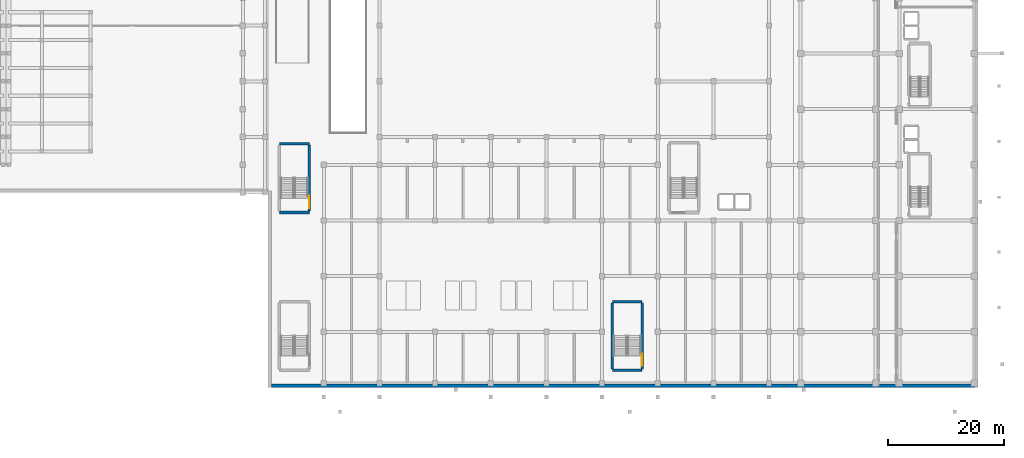
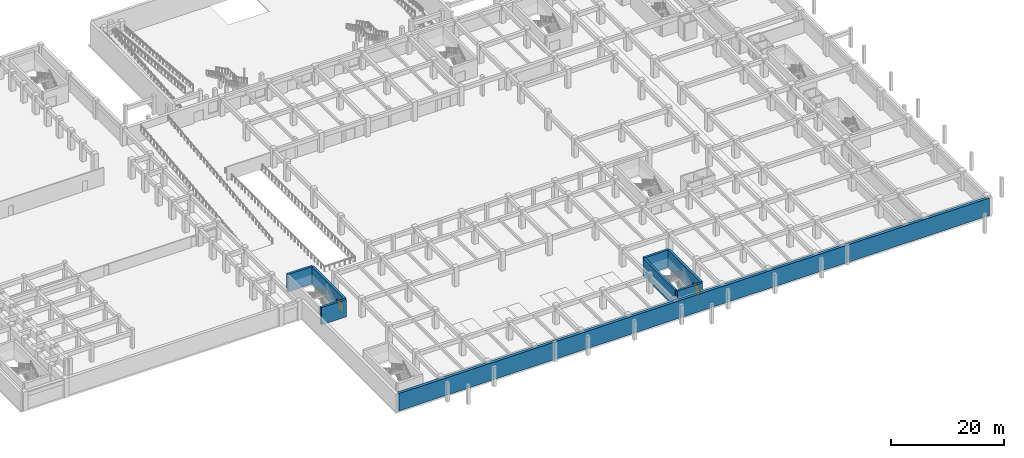
# One storey, part 11 of 39: 8 walls, 2 doors, 2 openings.
"""IFC4 building model written with IfcOpenShell, lengths in metres."""

from ifc_helpers import new_model, si_unit, direction, frame, frame_2d, origin, place, context, subcontext, project, spatial, rectangle, extrude, material, layer, layer_set, type_object, element, fill, save


model = new_model("IFC4")

# Units and contexts
model_context = context("Model", 3, precision=1e-05, world=origin(), true_north=direction((0.0, 1.0)))
body_context = subcontext(model_context, "Body", "Model", "MODEL_VIEW")
ifc_project = project(units=[si_unit("LENGTHUNIT", "METRE"), si_unit("AREAUNIT", "SQUARE_METRE"), si_unit("VOLUMEUNIT", "CUBIC_METRE"), si_unit("PLANEANGLEUNIT", "RADIAN"), si_unit("MASSUNIT", "GRAM", prefix="KILO")], contexts=[model_context])

# Site, building, storey
site_placement = place(None, origin())
site = spatial("IfcSite", under=ifc_project, at=site_placement, CompositionType="ELEMENT")
building_placement = place(site_placement, origin())
building = spatial("IfcBuilding", under=site, at=building_placement, Name="Nakhvara Creek Congress Hotel", CompositionType="ELEMENT")
storey_placement = place(building_placement, frame((0.0, 0.0, -4.199951171875)))
storey = spatial("IfcBuildingStorey", under=building, at=storey_placement, Name="B1", CompositionType="ELEMENT", Elevation=-4.199951171875)

# Walls
ifc_material_1 = material(Name="Concrete C50/60", Category="concrete")
ifc_layer_1 = layer(ifc_material_1, 0.449951171875)
ifc_layer_set_1 = layer_set([ifc_layer_1], Name="Concrete C50/60")
wall_type_1 = type_object("IfcWallType", Name="W-CORE-450", PredefinedType="SHEAR", material=ifc_layer_set_1)
for number, where, z_axis, x_axis, name in (
    (1, (116.949951171875, 2.97998046875, 0.0), (0.0, 0.0, 1.0), (1.0, 0.0, 0.0), "Core Shear Wall WS02-CWALL-B1-0959"),
    (2, (116.949951171875, 14.820068359375, 0.0), (0.0, 0.0, 1.0), (1.0, 0.0, 0.0), "Core Shear Wall WS02-CWALL-B1-0960"),
):
    element("IfcWall", number, at=place(storey_placement, frame(where, z_axis=z_axis, x_axis=x_axis)), inside=storey, type_object=wall_type_1, Name=name, PredefinedType="SHEAR", context=body_context, shape_type="SweptSolid", body=[
        extrude(rectangle(XDim=5.150146484375, YDim=0.449951171875, at=frame_2d((2.5751953125, 0.0))), origin(), (0.0, 0.0, 1.0), 3.780029296875),
    ])
wall_1_placement = place(storey_placement, frame((116.949951171875, 3.199951171875, 0.0), z_axis=(0.0, 0.0, 1.0), x_axis=(0.0, 1.0, 0.0)))
element("IfcWall", 3, at=wall_1_placement, inside=storey, type_object=wall_type_1, Name="Core Shear Wall WS02-CWALL-B1-0961", PredefinedType="SHEAR", context=body_context, shape_type="SweptSolid", body=[
    extrude(rectangle(XDim=11.400146484375, YDim=0.449951171875, at=frame_2d((5.7001953125, 0.0))), origin(), (0.0, 0.0, 1.0), 3.780029296875),
])

# Wall, opening, door
wall_2_placement = place(storey_placement, frame((122.10009765625, 3.199951171875, 0.0), z_axis=(0.0, 0.0, 1.0), x_axis=(0.0, 1.0, 0.0)))
wall_2 = element("IfcWall", 4, at=wall_2_placement, inside=storey, type_object=wall_type_1, Name="Core Shear Wall WS02-CWALL-B1-0962", PredefinedType="SHEAR", context=body_context, shape_type="SweptSolid", body=[
    extrude(rectangle(XDim=11.400146484375, YDim=0.449951171875, at=frame_2d((5.7001953125, 0.0))), origin(), (0.0, 0.0, 1.0), 3.780029296875),
])
opening_1_placement = place(wall_2_placement, frame((0.550048828125, 0.0, 0.0)))
opening_1 = element("IfcOpeningElement", 5, at=opening_1_placement, cuts=wall_2, Name="Opening FD19", PredefinedType="OPENING", context=body_context, shape_type="SweptSolid", body=[
    extrude(rectangle(XDim=2.10009765625, YDim=2.199951171875, at=frame_2d((1.050048828125, 1.10009765625))), frame((0.0, 0.23681640625, 0.0), z_axis=(0.0, -1.0, 0.0), x_axis=(1.0, 0.0, 0.0)), (0.0, 0.0, 1.0), 0.473876953125),
])
ifc_material_2 = material(Name="Galvanised steel acoustic fire door", Category="steel")
door_type = type_object("IfcDoorType", Name="DT-STAIR-220", OperationType="DOUBLE_DOOR_SINGLE_SWING", PredefinedType="DOOR", material=ifc_material_2)
door_1_placement = place(opening_1_placement, frame((2.10009765625, 0.0, 0.0), z_axis=(0.0, 0.0, 1.0), x_axis=(-1.0, 0.0, 0.0)))
door_1 = element("IfcDoor", 6, at=door_1_placement, inside=storey, type_object=door_type, Name="Stair Exit Door ST12-B1", OperationType="DOUBLE_DOOR_SINGLE_SWING", OverallHeight=2.199951171875, OverallWidth=2.10009765625, PredefinedType="DOOR", context=body_context, shape_type="SweptSolid", body=[
    extrude(rectangle(XDim=2.10009765625, YDim=2.199951171875, at=frame_2d((1.050048828125, 1.10009765625))), frame((0.0, 0.02490234375, 0.0), z_axis=(0.0, -1.0, 0.0), x_axis=(1.0, 0.0, 0.0)), (0.0, 0.0, 1.0), 0.050048828125),
])
fill(opening_1, door_1)

# Walls
for number, where, z_axis, x_axis, name in (
    (7, (59.550048828125, 30.179931640625, 0.0), (0.0, 0.0, 1.0), (1.0, 0.0, 0.0), "Core Shear Wall WS02-CWALL-B1-0983"),
    (8, (59.550048828125, 42.02001953125, 0.0), (0.0, 0.0, 1.0), (1.0, 0.0, 0.0), "Core Shear Wall WS02-CWALL-B1-0984"),
):
    element("IfcWall", number, at=place(storey_placement, frame(where, z_axis=z_axis, x_axis=x_axis)), inside=storey, type_object=wall_type_1, Name=name, PredefinedType="SHEAR", context=body_context, shape_type="SweptSolid", body=[
        extrude(rectangle(XDim=5.14990234375, YDim=0.449951171875, at=frame_2d((2.574951171875, 0.0))), origin(), (0.0, 0.0, 1.0), 3.780029296875),
    ])

# Wall, opening, door
wall_3_placement = place(storey_placement, frame((64.699951171875, 30.39990234375, 0.0), z_axis=(0.0, 0.0, 1.0), x_axis=(0.0, 1.0, 0.0)))
wall_3 = element("IfcWall", 9, at=wall_3_placement, inside=storey, type_object=wall_type_1, Name="Core Shear Wall WS02-CWALL-B1-0986", PredefinedType="SHEAR", context=body_context, shape_type="SweptSolid", body=[
    extrude(rectangle(XDim=11.400146484375, YDim=0.449951171875, at=frame_2d((5.7001953125, 0.0))), origin(), (0.0, 0.0, 1.0), 3.780029296875),
])
opening_2_placement = place(wall_3_placement, frame((0.550048828125, 0.0, 0.0)))
opening_2 = element("IfcOpeningElement", 10, at=opening_2_placement, cuts=wall_3, Name="Opening FD19", PredefinedType="OPENING", context=body_context, shape_type="SweptSolid", body=[
    extrude(rectangle(XDim=2.10009765625, YDim=2.199951171875, at=frame_2d((1.050048828125, 1.10009765625))), frame((0.0, 0.23681640625, 0.0), z_axis=(0.0, -1.0, 0.0), x_axis=(1.0, 0.0, 0.0)), (0.0, 0.0, 1.0), 0.473876953125),
])
door_2_placement = place(opening_2_placement, frame((2.10009765625, 0.0, 0.0), z_axis=(0.0, 0.0, 1.0), x_axis=(-1.0, 0.0, 0.0)))
door_2 = element("IfcDoor", 11, at=door_2_placement, inside=storey, type_object=door_type, Name="Stair Exit Door ST13-B1", OperationType="DOUBLE_DOOR_SINGLE_SWING", OverallHeight=2.199951171875, OverallWidth=2.10009765625, PredefinedType="DOOR", context=body_context, shape_type="SweptSolid", body=[
    extrude(rectangle(XDim=2.10009765625, YDim=2.199951171875, at=frame_2d((1.050048828125, 1.10009765625))), frame((0.0, 0.02490234375, 0.0), z_axis=(0.0, -1.0, 0.0), x_axis=(1.0, 0.0, 0.0)), (0.0, 0.0, 1.0), 0.050048828125),
])
fill(opening_2, door_2)

# Wall
ifc_material_3 = material(Name="Concrete C40/50", Category="concrete")
ifc_layer_2 = layer(ifc_material_3, 0.60009765625)
ifc_layer_set_2 = layer_set([ifc_layer_2], Name="Concrete C40/50")
wall_type_2 = type_object("IfcWallType", Name="W-RET-600", PredefinedType="USERDEFINED", material=ifc_layer_set_2)
wall_4_placement = place(storey_placement, frame((179.39990234375, 0.300048828125, 0.0), z_axis=(0.0, 0.0, 1.0), x_axis=(-1.0, 0.0, 0.0)))
element("IfcWall", 12, at=wall_4_placement, inside=storey, type_object=wall_type_2, Name="Exterior Wall WR01-EW-B1-0018", ObjectType="RETAININGWALL", PredefinedType="USERDEFINED", context=body_context, shape_type="SweptSolid", body=[
    extrude(rectangle(XDim=121.199951171875, YDim=0.60009765625, at=frame_2d((60.60009765625, 0.0))), origin(), (0.0, 0.0, 1.0), 3.780029296875),
])

save(model, "model.ifc")
